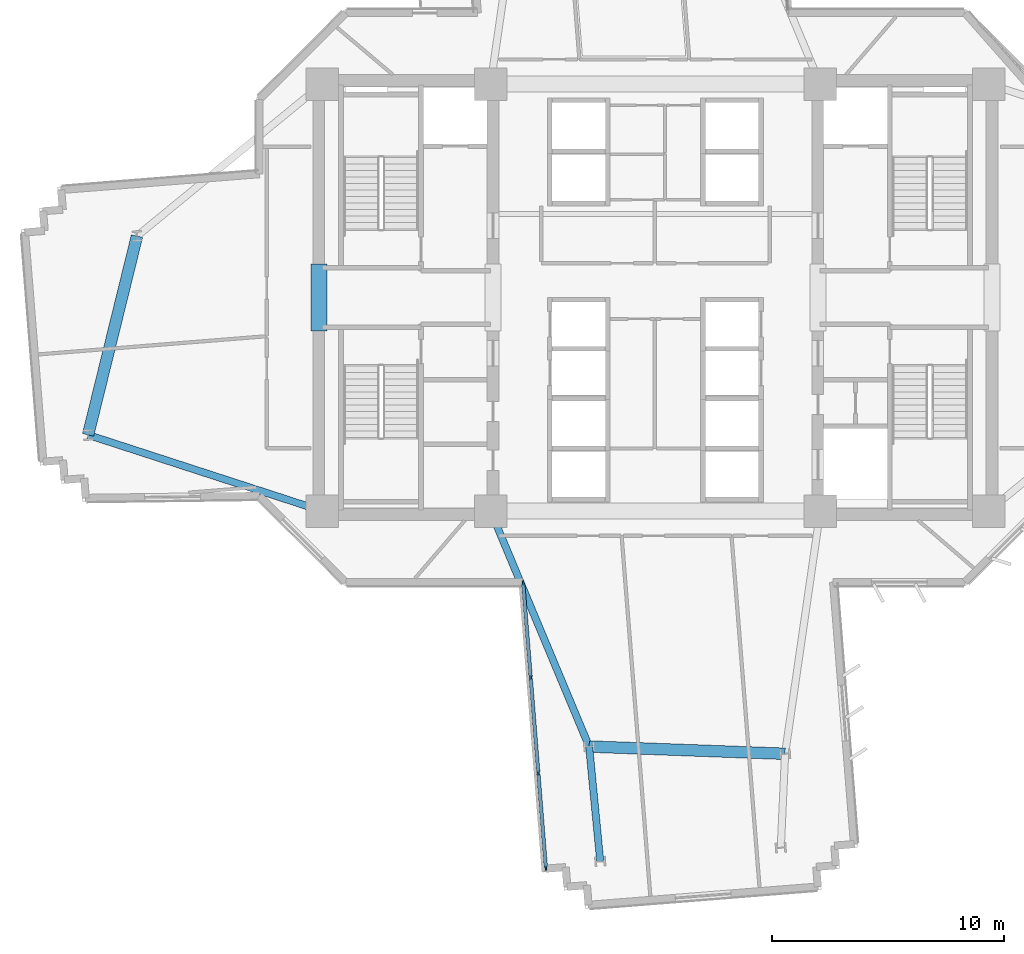
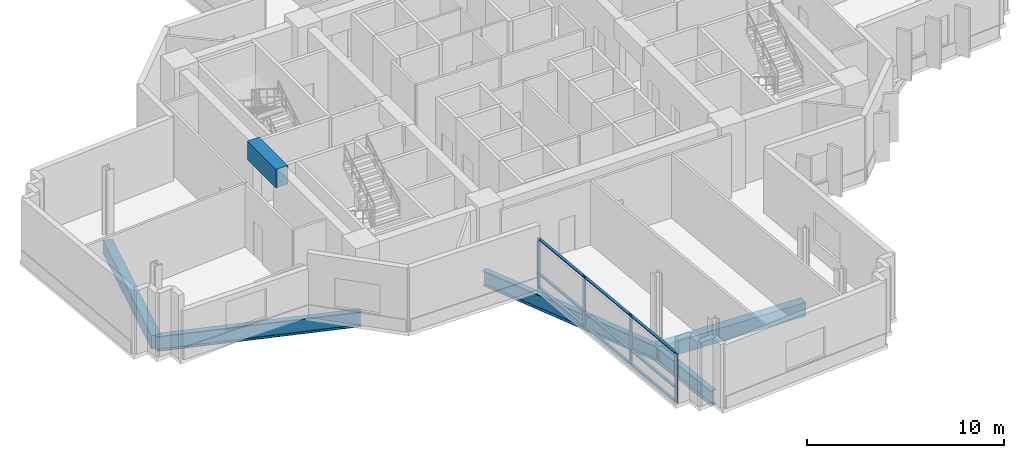
# One storey, part 2 of 15: 13 members, 6 beams, 1 element without a shape of its own.
"""IFC4 building model written with IfcOpenShell, lengths in metres."""

from ifc_helpers import new_model, si_unit, direction, frame, origin, origin_2d, place, context, subcontext, project, spatial, rectangle, i_section, extrude, source, transform, mapped, material, layer, layer_set, material_profile, profile_set, type_object, element, aggregate, save


model = new_model("IFC4")

# Units and contexts
model_context = context("Model", 3, precision=1e-05, world=origin(), true_north=direction((0.0, 1.0)))
body_context = subcontext(model_context, "Body", "Model", "MODEL_VIEW")
ifc_project = project(units=[si_unit("LENGTHUNIT", "METRE"), si_unit("AREAUNIT", "SQUARE_METRE"), si_unit("VOLUMEUNIT", "CUBIC_METRE"), si_unit("PLANEANGLEUNIT", "RADIAN"), si_unit("MASSUNIT", "GRAM", prefix="KILO")], contexts=[model_context])

# Site, building, storey
site_placement = place(None, origin())
site = spatial("IfcSite", under=ifc_project, at=site_placement, CompositionType="ELEMENT")
building_placement = place(site_placement, origin())
building = spatial("IfcBuilding", under=site, at=building_placement, Name="Zahravan Cultural Tower", CompositionType="ELEMENT")
storey_placement = place(building_placement, frame((0.0, 0.0, 79.5)))
storey = spatial("IfcBuildingStorey", under=building, at=storey_placement, Name="L17", CompositionType="ELEMENT", Elevation=79.5)

# Beams
ifc_material_1 = material(Name="Concrete C50/60", Category="concrete")
ifc_material_profile_1 = material_profile(ifc_material_1, rectangle(XDim=0.699951171875, YDim=1.14990234375, at=origin_2d()), Name="RC700X1150")
ifc_profile_set_1 = profile_set([ifc_material_profile_1], Name="Concrete C50/60")
beam_type_1 = type_object("IfcBeamType", Name="BM-LN-RC700X1150", PredefinedType="LINTEL", material=ifc_profile_set_1)
shared_shape_1 = source(origin(), body_context, "Body", "SweptSolid", [
    extrude(rectangle(XDim=0.699951171875, YDim=1.14990234375, at=origin_2d()), origin(), (0.0, 0.0, 1.0), 2.89990234375),
])
beam_1_placement = place(storey_placement, frame((21.5, 25.550048828125, 3.375), z_axis=(0.0, 1.0, 0.0), x_axis=(-1.0, 0.0, 0.0)))
element("IfcBeam", 1, at=beam_1_placement, inside=storey, type_object=beam_type_1, Name="L17 Beam LN-L17-PWW", PredefinedType="LINTEL", context=body_context, shape_type="MappedRepresentation", body=[
    mapped(shared_shape_1, transform((0.0, 0.0, 0.0), x_axis=(1.0, 0.0, 0.0), y_axis=(0.0, 1.0, 0.0), z_axis=(0.0, 0.0, 1.0), scale=1.0)),
])
ifc_material_2 = material(Name="Steel ASTM A992 Grade 50", Category="steel")
ifc_material_profile_2 = material_profile(ifc_material_2, i_section(OverallWidth=0.30908203125, OverallDepth=0.931884765625, WebThickness=0.02099609375, FlangeThickness=0.034423828125, FilletRadius=0.02392578125, at=origin_2d()), Name="W36X210")
ifc_profile_set_2 = profile_set([ifc_material_profile_2], Name="Steel ASTM A992 Grade 50")
beam_type_2 = type_object("IfcBeamType", Name="BM-G-W36X210", PredefinedType="BEAM", material=ifc_profile_set_2)
shared_shape_2 = source(origin(), body_context, "Body", "SweptSolid", [
    extrude(i_section(OverallWidth=0.30908203125, OverallDepth=0.931884765625, WebThickness=0.02099609375, FlangeThickness=0.034423828125, FilletRadius=0.02392578125, at=origin_2d()), origin(), (0.0, 0.0, 1.0), 10.615966796875),
])
beam_2_placement = place(storey_placement, frame((21.64990234375, 17.800048828125, -0.716064453125), z_axis=(-0.951063640083, 0.30899506875, 0.0), x_axis=(-0.30899506875, -0.951063640083, 0.0)))
element("IfcBeam", 2, at=beam_2_placement, inside=storey, type_object=beam_type_2, Name="L17 Beam BG-L17-07", PredefinedType="BEAM", context=body_context, shape_type="MappedRepresentation", body=[
    mapped(shared_shape_2, transform((0.0, 0.0, 0.0), x_axis=(1.0, 0.0, 0.0), y_axis=(0.0, 1.0, 0.0), z_axis=(0.0, 0.0, 1.0), scale=1.0)),
])
shared_shape_3 = source(origin(), body_context, "Body", "SweptSolid", [
    extrude(i_section(OverallWidth=0.30908203125, OverallDepth=0.931884765625, WebThickness=0.02099609375, FlangeThickness=0.034423828125, FilletRadius=0.02392578125, at=origin_2d()), origin(), (0.0, 0.0, 1.0), 10.997802734375),
])
beam_3_placement = place(storey_placement, frame((28.89990234375, 17.800048828125, -0.716064453125), z_axis=(0.385775211449, -0.922592806297, 0.0), x_axis=(0.922592806297, 0.385775211449, 0.0)))
element("IfcBeam", 3, at=beam_3_placement, inside=storey, type_object=beam_type_2, Name="L17 Beam BG-L17-08", PredefinedType="BEAM", context=body_context, shape_type="MappedRepresentation", body=[
    mapped(shared_shape_3, transform((0.0, 0.0, 0.0), x_axis=(1.0, 0.0, 0.0), y_axis=(0.0, 1.0, 0.0), z_axis=(0.0, 0.0, 1.0), scale=1.0)),
])
shared_shape_4 = source(origin(), body_context, "Body", "SweptSolid", [
    extrude(i_section(OverallWidth=0.30908203125, OverallDepth=0.931884765625, WebThickness=0.02099609375, FlangeThickness=0.034423828125, FilletRadius=0.02392578125, at=origin_2d()), origin(), (0.0, 0.0, 1.0), 4.973876953125),
])
beam_4_placement = place(storey_placement, frame((33.142578125, 7.653564453125, -0.716064453125), z_axis=(0.096154779131, -0.995366394073, 0.0), x_axis=(0.995366394073, 0.096154779131, 0.0)))
element("IfcBeam", 4, at=beam_4_placement, inside=storey, type_object=beam_type_2, Name="L17 Beam BG-L17-17", PredefinedType="BEAM", context=body_context, shape_type="MappedRepresentation", body=[
    mapped(shared_shape_4, transform((0.0, 0.0, 0.0), x_axis=(1.0, 0.0, 0.0), y_axis=(0.0, 1.0, 0.0), z_axis=(0.0, 0.0, 1.0), scale=1.0)),
])
ifc_material_profile_3 = material_profile(ifc_material_1, rectangle(XDim=0.5, YDim=0.85009765625, at=origin_2d()), Name="RC500X850")
ifc_profile_set_3 = profile_set([ifc_material_profile_3], Name="Concrete C50/60")
beam_type_3 = type_object("IfcBeamType", Name="BM-SP-RC500X850", PredefinedType="SPANDREL", material=ifc_profile_set_3)
shared_shape_5 = source(origin(), body_context, "Body", "SweptSolid", [
    extrude(rectangle(XDim=0.5, YDim=0.85009765625, at=origin_2d()), origin(), (0.0, 0.0, 1.0), 8.4482421875),
])
beam_5_placement = place(storey_placement, frame((33.142578125, 7.653564453125, -0.675048828125), z_axis=(0.999318826256, -0.036903705643, 0.0), x_axis=(0.036903705643, 0.999318826256, 0.0)))
element("IfcBeam", 5, at=beam_5_placement, inside=storey, type_object=beam_type_3, Name="L17 Beam SP-L17-19", PredefinedType="SPANDREL", context=body_context, shape_type="MappedRepresentation", body=[
    mapped(shared_shape_5, transform((0.0, 0.0, 0.0), x_axis=(1.0, 0.0, 0.0), y_axis=(0.0, 1.0, 0.0), z_axis=(0.0, 0.0, 1.0), scale=1.0)),
])
shared_shape_6 = source(origin(), body_context, "Body", "SweptSolid", [
    extrude(rectangle(XDim=0.5, YDim=0.85009765625, at=origin_2d()), origin(), (0.0, 0.0, 1.0), 8.8232421875),
])
beam_6_placement = place(storey_placement, frame((13.660888671875, 29.648193359375, -0.675048828125), z_axis=(-0.238848860516, -0.971056755206, 0.0), x_axis=(0.971056755206, -0.238848860516, 0.0)))
element("IfcBeam", 6, at=beam_6_placement, inside=storey, type_object=beam_type_3, Name="L17 Beam SP-L17-22", PredefinedType="SPANDREL", context=body_context, shape_type="MappedRepresentation", body=[
    mapped(shared_shape_6, transform((0.0, 0.0, 0.0), x_axis=(1.0, 0.0, 0.0), y_axis=(0.0, 1.0, 0.0), z_axis=(0.0, 0.0, 1.0), scale=1.0)),
])

# Curtain wall, members
ifc_material_3 = material(Name="Anodised bronze-aluminium mullion", Category="aluminium")
ifc_layer = layer(ifc_material_3, 0.199951171875)
ifc_layer_set = layer_set([ifc_layer], Name="Anodised bronze-aluminium mullion")
curtain_wall_type = type_object("IfcCurtainWallType", Name="CW-SYS-2", PredefinedType="USERDEFINED", material=ifc_layer_set)
curtain_wall_placement = place(storey_placement, origin())
curtain_wall = element("IfcCurtainWall", 7, at=curtain_wall_placement, inside=storey, type_object=curtain_wall_type, Name="L17 Recessed Curtain Wall CW-2.1", ObjectType="RECESSED GLAZING", PredefinedType="USERDEFINED")
ifc_material_profile_4 = material_profile(ifc_material_3, rectangle(XDim=0.074951171875, YDim=0.199951171875, at=origin_2d()), Name="AL-M75X200")
ifc_profile_set_4 = profile_set([ifc_material_profile_4], Name="Anodised bronze-aluminium mullion")
member_type_1 = type_object("IfcMemberType", Name="CWM-CW-2", PredefinedType="MULLION", material=ifc_profile_set_4)
shared_shape_7 = source(origin(), body_context, "Body", "SweptSolid", [
    extrude(rectangle(XDim=0.074951171875, YDim=0.199951171875, at=origin_2d()), origin(), (0.0, 0.0, 1.0), 3.070068359375),
])
member_1_placement = place(storey_placement, frame((31.27880859375, 2.42431640625, 0.0), z_axis=(0.0, 0.0, 1.0), x_axis=(-0.996834749139, -0.079501464817, 0.0)))
member_1 = element("IfcMember", 8, at=member_1_placement, type_object=member_type_1, Name="CW-2 mullion 1", PredefinedType="MULLION", context=body_context, shape_type="MappedRepresentation", body=[
    mapped(shared_shape_7, transform((0.0, 0.0, 0.0), x_axis=(1.0, 0.0, 0.0), y_axis=(0.0, 1.0, 0.0), z_axis=(0.0, 0.0, 1.0), scale=1.0)),
])
member_2_placement = place(storey_placement, frame((30.953369140625, 6.504638671875, 0.0), z_axis=(0.0, 0.0, 1.0), x_axis=(-0.996834749139, -0.079501464817, 0.0)))
member_2 = element("IfcMember", 9, at=member_2_placement, type_object=member_type_1, Name="CW-2 mullion 2", PredefinedType="MULLION", context=body_context, shape_type="MappedRepresentation", body=[
    mapped(shared_shape_7, transform((0.0, 0.0, 0.0), x_axis=(1.0, 0.0, 0.0), y_axis=(0.0, 1.0, 0.0), z_axis=(0.0, 0.0, 1.0), scale=1.0)),
])
member_3_placement = place(storey_placement, frame((30.625, 10.622314453125, 0.0), z_axis=(0.0, 0.0, 1.0), x_axis=(-0.996834749139, -0.079501464817, 0.0)))
member_3 = element("IfcMember", 10, at=member_3_placement, type_object=member_type_1, Name="CW-2 mullion 3", PredefinedType="MULLION", context=body_context, shape_type="MappedRepresentation", body=[
    mapped(shared_shape_7, transform((0.0, 0.0, 0.0), x_axis=(1.0, 0.0, 0.0), y_axis=(0.0, 1.0, 0.0), z_axis=(0.0, 0.0, 1.0), scale=1.0)),
])
member_4_placement = place(storey_placement, frame((30.299560546875, 14.70263671875, 0.0), z_axis=(0.0, 0.0, 1.0), x_axis=(-0.996834749139, -0.079501464817, 0.0)))
member_4 = element("IfcMember", 11, at=member_4_placement, type_object=member_type_1, Name="CW-2 mullion 4", PredefinedType="MULLION", context=body_context, shape_type="MappedRepresentation", body=[
    mapped(shared_shape_7, transform((0.0, 0.0, 0.0), x_axis=(1.0, 0.0, 0.0), y_axis=(0.0, 1.0, 0.0), z_axis=(0.0, 0.0, 1.0), scale=1.0)),
])
ifc_material_profile_5 = material_profile(ifc_material_3, rectangle(XDim=0.14990234375, YDim=0.074951171875, at=origin_2d()), Name="AL-T75X150")
ifc_profile_set_5 = profile_set([ifc_material_profile_5], Name="Anodised bronze-aluminium mullion")
member_type_2 = type_object("IfcMemberType", Name="CWT-CW-2", PredefinedType="USERDEFINED", material=ifc_profile_set_5)
shared_shape_8 = source(origin(), body_context, "Body", "SweptSolid", [
    extrude(rectangle(XDim=0.14990234375, YDim=0.074951171875, at=origin_2d()), origin(), (0.0, 0.0, 1.0), 4.018310546875),
])
member_5_placement = place(storey_placement, frame((31.27587890625, 2.461669921875, 0.03759765625), z_axis=(-0.079530302643, 0.99683244879, 0.0), x_axis=(-0.99683244879, -0.079530302643, 0.0)))
member_5 = element("IfcMember", 12, at=member_5_placement, type_object=member_type_2, Name="CW-2 transom 1.1", ObjectType="TRANSOM", PredefinedType="USERDEFINED", context=body_context, shape_type="MappedRepresentation", body=[
    mapped(shared_shape_8, transform((0.0, 0.0, 0.0), x_axis=(1.0, 0.0, 0.0), y_axis=(0.0, 1.0, 0.0), z_axis=(0.0, 0.0, 1.0), scale=1.0)),
])
member_6_placement = place(storey_placement, frame((31.27587890625, 2.461669921875, 0.89990234375), z_axis=(-0.079530302643, 0.99683244879, 0.0), x_axis=(-0.99683244879, -0.079530302643, 0.0)))
member_6 = element("IfcMember", 13, at=member_6_placement, type_object=member_type_2, Name="CW-2 transom 1.2", ObjectType="TRANSOM", PredefinedType="USERDEFINED", context=body_context, shape_type="MappedRepresentation", body=[
    mapped(shared_shape_8, transform((0.0, 0.0, 0.0), x_axis=(1.0, 0.0, 0.0), y_axis=(0.0, 1.0, 0.0), z_axis=(0.0, 0.0, 1.0), scale=1.0)),
])
member_7_placement = place(storey_placement, frame((31.27587890625, 2.461669921875, 3.032470703125), z_axis=(-0.079530302643, 0.99683244879, 0.0), x_axis=(-0.99683244879, -0.079530302643, 0.0)))
member_7 = element("IfcMember", 14, at=member_7_placement, type_object=member_type_2, Name="CW-2 transom 1.3", ObjectType="TRANSOM", PredefinedType="USERDEFINED", context=body_context, shape_type="MappedRepresentation", body=[
    mapped(shared_shape_8, transform((0.0, 0.0, 0.0), x_axis=(1.0, 0.0, 0.0), y_axis=(0.0, 1.0, 0.0), z_axis=(0.0, 0.0, 1.0), scale=1.0)),
])
member_8_placement = place(storey_placement, frame((30.6220703125, 10.65966796875, 0.03759765625), z_axis=(-0.079530302643, 0.99683244879, 0.0), x_axis=(-0.99683244879, -0.079530302643, 0.0)))
member_8 = element("IfcMember", 15, at=member_8_placement, type_object=member_type_2, Name="CW-2 transom 3.1", ObjectType="TRANSOM", PredefinedType="USERDEFINED", context=body_context, shape_type="MappedRepresentation", body=[
    mapped(shared_shape_8, transform((0.0, 0.0, 0.0), x_axis=(1.0, 0.0, 0.0), y_axis=(0.0, 1.0, 0.0), z_axis=(0.0, 0.0, 1.0), scale=1.0)),
])
member_9_placement = place(storey_placement, frame((30.6220703125, 10.65966796875, 0.89990234375), z_axis=(-0.079530302643, 0.99683244879, 0.0), x_axis=(-0.99683244879, -0.079530302643, 0.0)))
member_9 = element("IfcMember", 16, at=member_9_placement, type_object=member_type_2, Name="CW-2 transom 3.2", ObjectType="TRANSOM", PredefinedType="USERDEFINED", context=body_context, shape_type="MappedRepresentation", body=[
    mapped(shared_shape_8, transform((0.0, 0.0, 0.0), x_axis=(1.0, 0.0, 0.0), y_axis=(0.0, 1.0, 0.0), z_axis=(0.0, 0.0, 1.0), scale=1.0)),
])
member_10_placement = place(storey_placement, frame((30.6220703125, 10.65966796875, 3.032470703125), z_axis=(-0.079530302643, 0.99683244879, 0.0), x_axis=(-0.99683244879, -0.079530302643, 0.0)))
member_10 = element("IfcMember", 17, at=member_10_placement, type_object=member_type_2, Name="CW-2 transom 3.3", ObjectType="TRANSOM", PredefinedType="USERDEFINED", context=body_context, shape_type="MappedRepresentation", body=[
    mapped(shared_shape_8, transform((0.0, 0.0, 0.0), x_axis=(1.0, 0.0, 0.0), y_axis=(0.0, 1.0, 0.0), z_axis=(0.0, 0.0, 1.0), scale=1.0)),
])
shared_shape_9 = source(origin(), body_context, "Body", "SweptSolid", [
    extrude(rectangle(XDim=0.14990234375, YDim=0.074951171875, at=origin_2d()), origin(), (0.0, 0.0, 1.0), 4.055908203125),
])
member_11_placement = place(storey_placement, frame((30.950439453125, 6.5419921875, 0.03759765625), z_axis=(-0.079517932877, 0.99683343561, 0.0), x_axis=(-0.99683343561, -0.079517932877, 0.0)))
member_11 = element("IfcMember", 18, at=member_11_placement, type_object=member_type_2, Name="CW-2 transom 2.1", ObjectType="TRANSOM", PredefinedType="USERDEFINED", context=body_context, shape_type="MappedRepresentation", body=[
    mapped(shared_shape_9, transform((0.0, 0.0, 0.0), x_axis=(1.0, 0.0, 0.0), y_axis=(0.0, 1.0, 0.0), z_axis=(0.0, 0.0, 1.0), scale=1.0)),
])
member_12_placement = place(storey_placement, frame((30.950439453125, 6.5419921875, 0.89990234375), z_axis=(-0.079517932877, 0.99683343561, 0.0), x_axis=(-0.99683343561, -0.079517932877, 0.0)))
member_12 = element("IfcMember", 19, at=member_12_placement, type_object=member_type_2, Name="CW-2 transom 2.2", ObjectType="TRANSOM", PredefinedType="USERDEFINED", context=body_context, shape_type="MappedRepresentation", body=[
    mapped(shared_shape_9, transform((0.0, 0.0, 0.0), x_axis=(1.0, 0.0, 0.0), y_axis=(0.0, 1.0, 0.0), z_axis=(0.0, 0.0, 1.0), scale=1.0)),
])
member_13_placement = place(storey_placement, frame((30.950439453125, 6.5419921875, 3.032470703125), z_axis=(-0.079517932877, 0.99683343561, 0.0), x_axis=(-0.99683343561, -0.079517932877, 0.0)))
member_13 = element("IfcMember", 20, at=member_13_placement, type_object=member_type_2, Name="CW-2 transom 2.3", ObjectType="TRANSOM", PredefinedType="USERDEFINED", context=body_context, shape_type="MappedRepresentation", body=[
    mapped(shared_shape_9, transform((0.0, 0.0, 0.0), x_axis=(1.0, 0.0, 0.0), y_axis=(0.0, 1.0, 0.0), z_axis=(0.0, 0.0, 1.0), scale=1.0)),
])
aggregate(curtain_wall, [member_1, member_2, member_3, member_4, member_5, member_6, member_7, member_11, member_12, member_13, member_8, member_9, member_10])

save(model, "model.ifc")
